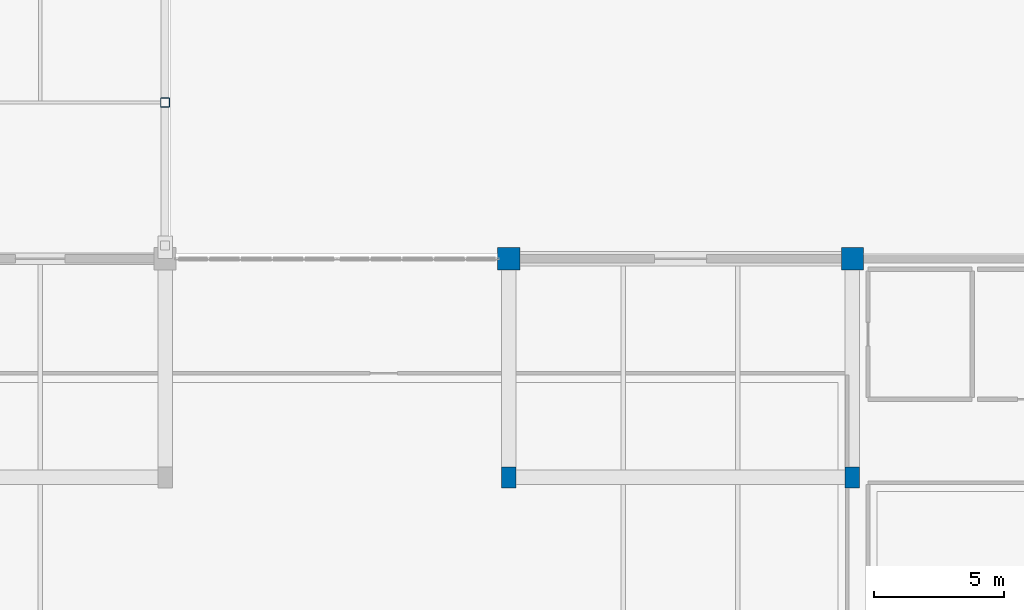
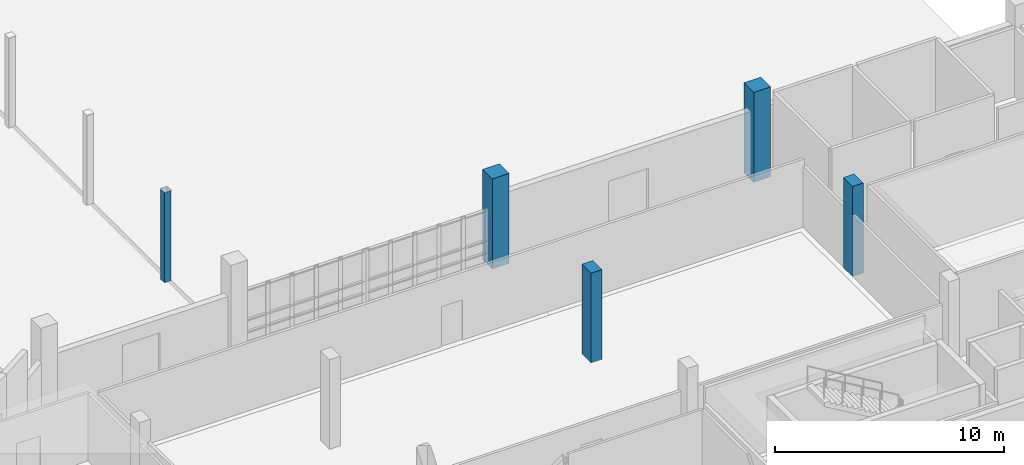
# One storey, part 16 of 97: 5 columns.
"""IFC4 building model written with IfcOpenShell, lengths in metres."""

from ifc_helpers import new_model, si_unit, direction, frame, origin, origin_2d, place, context, subcontext, project, spatial, rectangle, hollow_rectangle, extrude, material, material_profile, profile_set, type_object, element, save


model = new_model("IFC4")

# Units and contexts
model_context = context("Model", 3, precision=1e-05, world=origin(), true_north=direction((0.0, 1.0)))
body_context = subcontext(model_context, "Body", "Model", "MODEL_VIEW")
ifc_project = project(units=[si_unit("LENGTHUNIT", "METRE"), si_unit("AREAUNIT", "SQUARE_METRE"), si_unit("VOLUMEUNIT", "CUBIC_METRE"), si_unit("PLANEANGLEUNIT", "RADIAN"), si_unit("MASSUNIT", "GRAM", prefix="KILO")], contexts=[model_context])

# Site, building, storey
site_placement = place(None, origin())
site = spatial("IfcSite", under=ifc_project, at=site_placement, CompositionType="ELEMENT")
building_placement = place(site_placement, origin())
building = spatial("IfcBuilding", under=site, at=building_placement, Name="Kisaragi Civic Commons", CompositionType="ELEMENT")
storey_placement = place(building_placement, origin())
storey = spatial("IfcBuildingStorey", under=building, at=storey_placement, Name="L00", CompositionType="ELEMENT", Elevation=0.0)

# Columns
ifc_material_1 = material(Name="Concrete Fc36", Category="concrete")
ifc_material_profile_1 = material_profile(ifc_material_1, rectangle(XDim=0.85009765625, YDim=0.85009765625, at=origin_2d()), Name="RC-850x850", Category="concrete")
ifc_profile_set_1 = profile_set([ifc_material_profile_1], Name="Concrete Fc36")
column_type_1 = type_object("IfcColumnType", Name="C-05", PredefinedType="COLUMN", material=ifc_profile_set_1)
for number, where, z_axis, x_axis, name in (
    (1, (146.39990234375, 25.199951171875, 0.0), (0.0, 0.0, 1.0), (1.0, 0.0, 0.0), "L00 column C-05 (146.4,25.2)"),
    (2, (159.60009765625, 25.199951171875, 0.0), (0.0, 0.0, 1.0), (1.0, 0.0, 0.0), "L00 column C-05 (159.6,25.2)"),
):
    element("IfcColumn", number, at=place(storey_placement, frame(where, z_axis=z_axis, x_axis=x_axis)), inside=storey, type_object=column_type_1, Name=name, PredefinedType="COLUMN", context=body_context, shape_type="SweptSolid", body=[
        extrude(rectangle(XDim=0.85009765625, YDim=0.85009765625, at=origin_2d()), origin(), (0.0, 0.0, 1.0), 4.800048828125),
    ])
ifc_material_2 = material(Name="Steel BCR295", Category="steel")
ifc_material_profile_2 = material_profile(ifc_material_2, hollow_rectangle(XDim=0.35009765625, YDim=0.35009765625, WallThickness=0.011962890625, InnerFilletRadius=0.011962890625, OuterFilletRadius=0.02392578125, at=origin_2d()), Name="BCR-350x350x12", Category="steel")
ifc_profile_set_2 = profile_set([ifc_material_profile_2], Name="Steel BCR295")
column_type_2 = type_object("IfcColumnType", Name="C-13", PredefinedType="COLUMN", material=ifc_profile_set_2)
column_placement = place(storey_placement, frame((133.199951171875, 31.199951171875, 0.0), z_axis=(0.0, 0.0, 1.0), x_axis=(1.0, 0.0, 0.0)))
element("IfcColumn", 3, at=column_placement, inside=storey, type_object=column_type_2, Name="L00 column C-13 (133.2,31.2)", PredefinedType="COLUMN", context=body_context, shape_type="SweptSolid", body=[
    extrude(hollow_rectangle(XDim=0.35009765625, YDim=0.35009765625, WallThickness=0.011962890625, InnerFilletRadius=0.011962890625, OuterFilletRadius=0.02392578125, at=origin_2d()), origin(), (0.0, 0.0, 1.0), 4.800048828125),
])
ifc_material_profile_3 = material_profile(ifc_material_1, rectangle(XDim=0.550048828125, YDim=0.800048828125, at=origin_2d()), Name="RC-550x800", Category="concrete")
ifc_profile_set_3 = profile_set([ifc_material_profile_3], Name="Concrete Fc36")
column_type_3 = type_object("IfcColumnType", Name="C-23", PredefinedType="COLUMN", material=ifc_profile_set_3)
for number, where, z_axis, x_axis, name in (
    (4, (146.39990234375, 16.800048828125, 0.0), (0.0, 0.0, 1.0), (1.0, 0.0, 0.0), "L00 column C-23 (146.4,16.8)"),
    (5, (159.60009765625, 16.800048828125, 0.0), (0.0, 0.0, 1.0), (1.0, 0.0, 0.0), "L00 column C-23 (159.6,16.8)"),
):
    element("IfcColumn", number, at=place(storey_placement, frame(where, z_axis=z_axis, x_axis=x_axis)), inside=storey, type_object=column_type_3, Name=name, PredefinedType="COLUMN", context=body_context, shape_type="SweptSolid", body=[
        extrude(rectangle(XDim=0.550048828125, YDim=0.800048828125, at=origin_2d()), origin(), (0.0, 0.0, 1.0), 4.800048828125),
    ])

save(model, "model.ifc")
